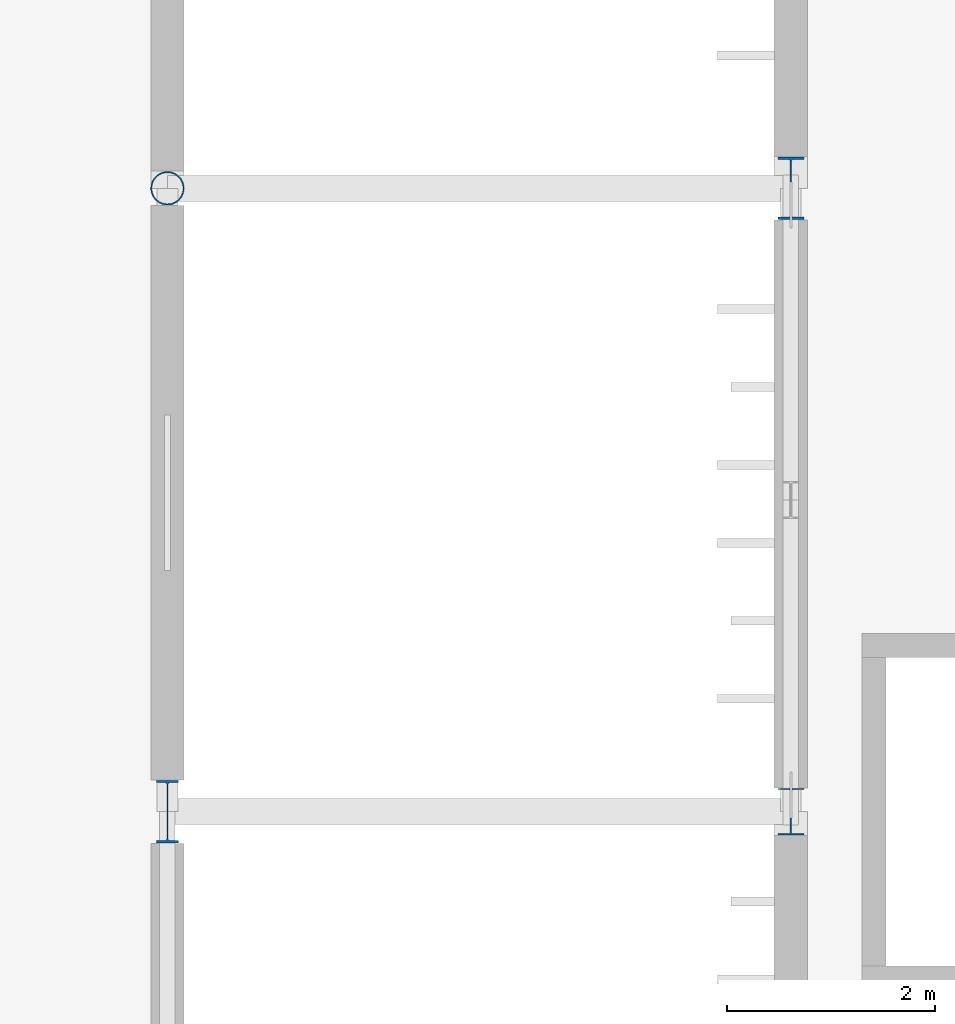
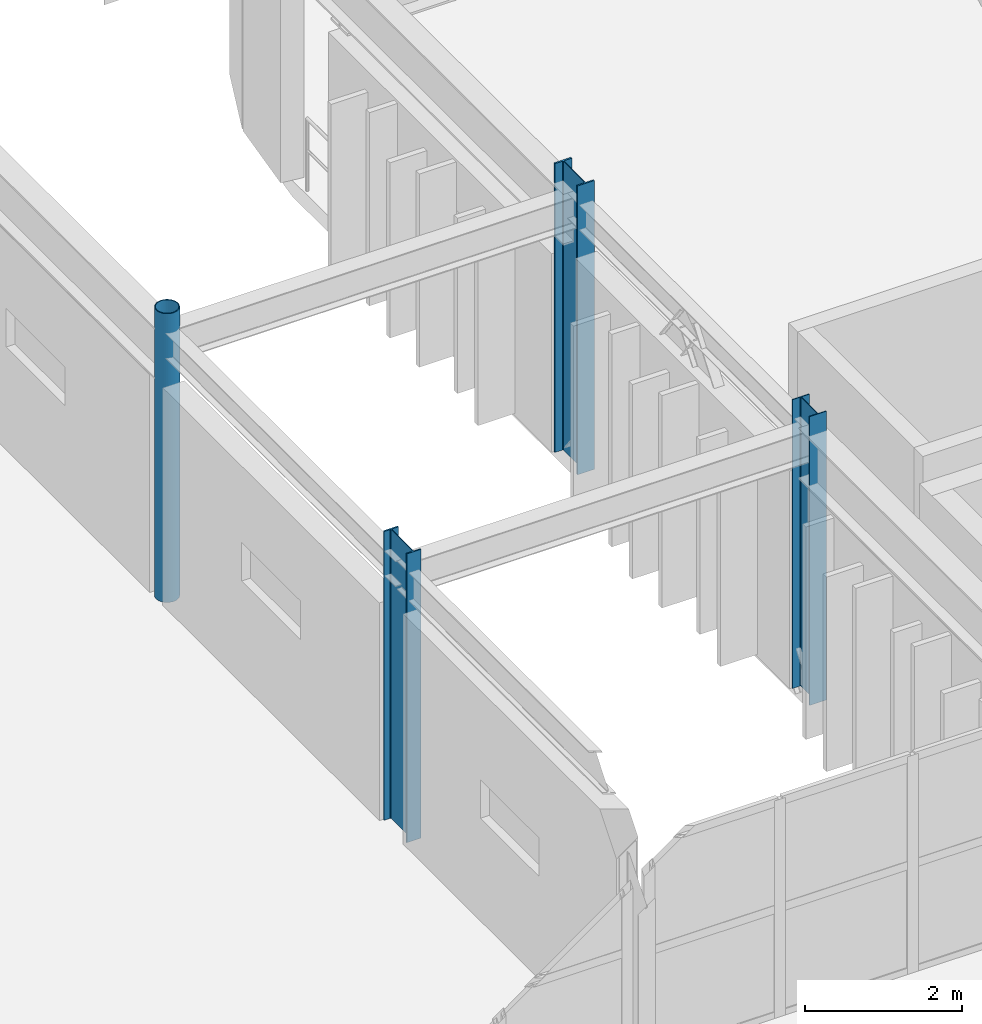
# One storey, part 10 of 84: 4 columns.
"""IFC4 building model written with IfcOpenShell, lengths in metres."""

import ifcopenshell
import ifcopenshell.guid

model = None  # the IFC model being written
_history = None  # IfcOwnerHistory: only IFC2X3 demands one
_inside = {}  # id of a spatial element -> (the spatial element, [elements in it])
_under = {}  # id of a project, library or spatial element -> (it, [spatial elements below it])
_declared = {}  # id of a project -> (the project, [libraries it declares])
_typed = {}  # id of a type object -> (the type object, [elements of that type])
_made_of = {}  # id of a material, layer set ... -> (it, [elements and type objects made of it])


def new_model(schema):
    """Start an empty IFC model of exactly this schema.

    Asked for "IFC4X3", IfcOpenShell would pick the latest addendum, in which some entities
    have other attributes; the version numbers below select the first issue.
    IFC2X3 requires an IfcOwnerHistory on every rooted entity: one is made here for all.
    """
    global model, _history
    if schema == "IFC4X3":
        model = ifcopenshell.file(schema_version=(4, 3, 0, 0))
    else:
        model = ifcopenshell.file(schema=schema)
    _inside.clear()
    _under.clear()
    _declared.clear()
    _typed.clear()
    _made_of.clear()
    _history = None
    if model.schema == "IFC2X3":
        org = make("IfcOrganization", Name="unknown")
        user = make(
            "IfcPersonAndOrganization",
            ThePerson=make("IfcPerson", FamilyName="unknown"),
            TheOrganization=org,
        )
        app = make(
            "IfcApplication",
            ApplicationDeveloper=org,
            Version="unknown",
            ApplicationFullName="unknown",
            ApplicationIdentifier="unknown",
        )
        _history = make(
            "IfcOwnerHistory",
            OwningUser=user,
            OwningApplication=app,
            ChangeAction="ADDED",
            CreationDate=0,
        )
    return model


def make(cls, **values):
    """One entity of the class cls with the attributes given. An attribute that is None is left unset."""
    return model.create_entity(
        cls, **{name: value for name, value in values.items() if value is not None}
    )


def rooted(cls, **values):
    """An entity with a GlobalId (a new one), such as an element, a storey or a relation."""
    return make(cls, GlobalId=ifcopenshell.guid.new(), OwnerHistory=_history, **values)


def si_unit(unit_type, name, prefix=None):
    """IfcSIUnit, for example si_unit("LENGTHUNIT", "METRE", prefix="MILLI")."""
    return make("IfcSIUnit", UnitType=unit_type, Prefix=prefix, Name=name)


def assignment(units):
    """IfcUnitAssignment: the units of a project."""
    return None if units is None else make("IfcUnitAssignment", Units=units)


def point(xyz):
    """IfcCartesianPoint."""
    return None if xyz is None else make("IfcCartesianPoint", Coordinates=xyz)


def direction(xyz):
    """IfcDirection."""
    return None if xyz is None else make("IfcDirection", DirectionRatios=xyz)


def frame(location, z_axis=None, x_axis=None):
    """IfcAxis2Placement3D, a coordinate frame: its origin and axes. An axis left out is left unset."""
    return make(
        "IfcAxis2Placement3D",
        Location=point(location),
        Axis=direction(z_axis),
        RefDirection=direction(x_axis),
    )


def frame_2d(location, x_axis=None):
    """IfcAxis2Placement2D, a coordinate frame in the plane: its origin and x axis."""
    return make(
        "IfcAxis2Placement2D", Location=point(location), RefDirection=direction(x_axis)
    )


def origin():
    """The frame at (0, 0, 0) with its axes left unset."""
    return frame((0.0, 0.0, 0.0))


def origin_2d():
    """The frame at (0, 0) in the plane with its x axis left unset."""
    return frame_2d((0.0, 0.0))


def place(relative_to, where):
    """IfcLocalPlacement: puts the frame where relative to a parent placement (None: the world)."""
    return make(
        "IfcLocalPlacement", PlacementRelTo=relative_to, RelativePlacement=where
    )


def context(
    kind, dimensions, precision=None, world=None, true_north=None, identifier=None
):
    """IfcGeometricRepresentationContext, for example the 3D "Model" context."""
    return make(
        "IfcGeometricRepresentationContext",
        ContextIdentifier=identifier,
        ContextType=kind,
        CoordinateSpaceDimension=dimensions,
        Precision=precision,
        WorldCoordinateSystem=world,
        TrueNorth=true_north,
    )


def subcontext(parent, identifier, kind, view, scale=None):
    """IfcGeometricRepresentationSubContext, for example "Body" below "Model"."""
    return make(
        "IfcGeometricRepresentationSubContext",
        ContextIdentifier=identifier,
        ContextType=kind,
        ParentContext=parent,
        TargetScale=scale,
        TargetView=view,
    )


def project(units=None, contexts=None):
    """IfcProject with its units and contexts."""
    return rooted(
        "IfcProject",
        Name="project",
        RepresentationContexts=contexts,
        UnitsInContext=assignment(units),
    )


def spatial(cls, under=None, at=None, **own):
    """A site, building, storey or space (cls), placed at a placement, below another one or the project."""
    s = rooted(cls, ObjectPlacement=at, **own)
    if under is not None:
        _under.setdefault(under.id(), (under, []))[1].append(s)
    return s


def profile(cls, at=None, kind="AREA", **sizes):
    """A parametric profile (cls). Its sizes go by their IFC names, for example OverallWidth=200.0."""
    return make(cls, ProfileType=kind, Position=at, **sizes)


def hollow_circle(**sizes):
    """IfcCircleHollowProfileDef."""
    return profile("IfcCircleHollowProfileDef", **sizes)


def i_section(**sizes):
    """IfcIShapeProfileDef."""
    return profile("IfcIShapeProfileDef", **sizes)


def extrude(swept, where, along, depth):
    """IfcExtrudedAreaSolid: the profile swept, set in the frame where, extruded along a direction by depth."""
    return make(
        "IfcExtrudedAreaSolid",
        SweptArea=swept,
        Position=where,
        ExtrudedDirection=direction(along),
        Depth=depth,
    )


def shape(context_of_items, identifier, shape_type, items):
    """IfcShapeRepresentation: the items that make up one representation, for example the "Body"."""
    return make(
        "IfcShapeRepresentation",
        ContextOfItems=context_of_items,
        RepresentationIdentifier=identifier,
        RepresentationType=shape_type,
        Items=items,
    )


def material(Name=None, Category=None):
    """IfcMaterial."""
    return make("IfcMaterial", Name=Name, Category=Category)


def material_profile(
    of_material, cross_section, Name=None, Category=None, Priority=None
):
    """IfcMaterialProfile: a cross section and its material."""
    return make(
        "IfcMaterialProfile",
        Name=Name,
        Material=of_material,
        Profile=cross_section,
        Priority=Priority,
        Category=Category,
    )


def profile_set(profiles, Name=None, composite=None):
    """IfcMaterialProfileSet."""
    return make(
        "IfcMaterialProfileSet",
        Name=Name,
        MaterialProfiles=profiles,
        CompositeProfile=composite,
    )


def made_of(thing, what):
    """Note that an element or type object is made of a material, layer set ...; save() writes the relation."""
    if what is not None:
        _made_of.setdefault(what.id(), (what, []))[1].append(thing)
    return thing


def type_object(cls, material=None, **own):
    """A type object (cls), such as IfcWallType, which elements share."""
    return made_of(rooted(cls, **own), material)


def element(
    cls,
    number,
    at=None,
    inside=None,
    cuts=None,
    type_object=None,
    material=None,
    context=None,
    identifier="Body",
    shape_type=None,
    held_by="IfcProductDefinitionShape",
    body=None,
    shapes=None,
    **own,
):
    """One element of the class cls, such as IfcWall. Its Tag is "e" and its number.

    at: its placement. inside: the storey or other place that contains it. cuts: it is an
    opening in that element (IfcRelVoidsElement). A single representation is given by context,
    identifier, shape_type and body (its items); several are given by shapes. held_by: the class
    of the entity that holds the representations. save() writes the other relations.
    """
    e = rooted(cls, Tag="e%d" % number, ObjectPlacement=at, **own)
    if body is not None:
        shapes = [shape(context, identifier, shape_type, body)]
    if shapes is not None:
        e.Representation = make(held_by, Representations=shapes)
    if inside is not None:
        _inside.setdefault(inside.id(), (inside, []))[1].append(e)
    if cuts is not None:
        rooted(
            "IfcRelVoidsElement", RelatingBuildingElement=cuts, RelatedOpeningElement=e
        )
    if type_object is not None:
        _typed.setdefault(type_object.id(), (type_object, []))[1].append(e)
    return made_of(e, material)


def aggregate(whole, parts):
    """IfcRelAggregates: a whole, such as a stair, and the parts it consists of."""
    return rooted("IfcRelAggregates", RelatingObject=whole, RelatedObjects=parts)


def save(model, path):
    """Write the relations noted so far, then the file.

    IfcRelAggregates (storeys below a building ...), IfcRelContainedInSpatialStructure (elements
    in a storey), IfcRelDefinesByType, IfcRelAssociatesMaterial and IfcRelDeclares: one each for
    every whole, place, type object, material and project.
    """
    for whole, parts in _under.values():
        aggregate(whole, parts)
    for where, things in _inside.values():
        rooted(
            "IfcRelContainedInSpatialStructure",
            RelatedElements=things,
            RelatingStructure=where,
        )
    for kind, things in _typed.values():
        rooted("IfcRelDefinesByType", RelatedObjects=things, RelatingType=kind)
    for what, things in _made_of.values():
        rooted("IfcRelAssociatesMaterial", RelatedObjects=things, RelatingMaterial=what)
    for by, libraries in _declared.values():
        rooted("IfcRelDeclares", RelatingContext=by, RelatedDefinitions=libraries)
    model.write(path)


model = new_model("IFC4")

# Units and contexts
model_context = context("Model", 3, precision=1e-05, world=origin(), true_north=direction((0.0, 1.0)))
body_context = subcontext(model_context, "Body", "Model", "MODEL_VIEW")
ifc_project = project(units=[si_unit("LENGTHUNIT", "METRE"), si_unit("AREAUNIT", "SQUARE_METRE"), si_unit("VOLUMEUNIT", "CUBIC_METRE"), si_unit("PLANEANGLEUNIT", "RADIAN"), si_unit("MASSUNIT", "GRAM", prefix="KILO")], contexts=[model_context])

# Site, building, storey
site_placement = place(None, origin())
site = spatial("IfcSite", under=ifc_project, at=site_placement, CompositionType="ELEMENT")
building_placement = place(site_placement, origin())
building = spatial("IfcBuilding", under=site, at=building_placement, Name="Varnakota Square Police Headquarters", CompositionType="ELEMENT")
storey_placement = place(building_placement, frame((0.0, 0.0, 13.5)))
storey = spatial("IfcBuildingStorey", under=building, at=storey_placement, Name="L03", CompositionType="ELEMENT", Elevation=13.5)

# Columns
ifc_material = material(Name="Steel IS 2062 Grade 350", Category="steel")
ifc_material_profile_1 = material_profile(ifc_material, hollow_circle(Radius=0.161865234375, WallThickness=0.0126953125, at=origin_2d()), Name="CHS 323.9x12.7")
ifc_profile_set_1 = profile_set([ifc_material_profile_1], Name="Steel IS 2062 Grade 350")
column_type_1 = type_object("IfcColumnType", Name="COL-CHS324", PredefinedType="COLUMN", material=ifc_profile_set_1)
column_1_placement = place(storey_placement, frame((54.0, 87.0, 0.0), z_axis=(0.0, 0.0, 1.0), x_axis=(1.0, 0.0, 0.0)))
element("IfcColumn", 1, at=column_1_placement, inside=storey, type_object=column_type_1, Name="Column X0540-Y0870 L03", PredefinedType="COLUMN", context=body_context, shape_type="SweptSolid", body=[
    extrude(hollow_circle(Radius=0.161865234375, WallThickness=0.0126953125, at=origin_2d()), origin(), (0.0, 0.0, 1.0), 4.5),
])
ifc_material_profile_2 = material_profile(ifc_material, i_section(OverallWidth=0.25, OverallDepth=0.449951171875, WebThickness=0.01123046875, FlangeThickness=0.013671875, FilletRadius=0.014892578125, at=origin_2d()), Name="ISHB 450")
ifc_profile_set_2 = profile_set([ifc_material_profile_2], Name="Steel IS 2062 Grade 350")
column_type_2 = type_object("IfcColumnType", Name="COL-ISHB450", PredefinedType="COLUMN", material=ifc_profile_set_2)
column_2_placement = place(storey_placement, frame((60.0, 81.0, 0.0), z_axis=(0.0, 0.0, 1.0), x_axis=(1.0, 0.0, 0.0)))
element("IfcColumn", 2, at=column_2_placement, inside=storey, type_object=column_type_2, Name="Column X0600-Y0810 L03", PredefinedType="COLUMN", context=body_context, shape_type="SweptSolid", body=[
    extrude(i_section(OverallWidth=0.25, OverallDepth=0.449951171875, WebThickness=0.01123046875, FlangeThickness=0.013671875, FilletRadius=0.014892578125, at=origin_2d()), origin(), (0.0, 0.0, 1.0), 4.5),
])
ifc_material_profile_3 = material_profile(ifc_material, i_section(OverallWidth=0.2099609375, OverallDepth=0.60009765625, WebThickness=0.011962890625, FlangeThickness=0.020751953125, FilletRadius=0.02001953125, at=origin_2d()), Name="ISMB 600")
ifc_profile_set_3 = profile_set([ifc_material_profile_3], Name="Steel IS 2062 Grade 350")
column_type_3 = type_object("IfcColumnType", Name="COL-ISMB600", PredefinedType="COLUMN", material=ifc_profile_set_3)
column_3_placement = place(storey_placement, frame((54.0, 81.0, 0.0), z_axis=(0.0, 0.0, 1.0), x_axis=(1.0, 0.0, 0.0)))
element("IfcColumn", 3, at=column_3_placement, inside=storey, type_object=column_type_3, Name="Column X0540-Y0810 L03", PredefinedType="COLUMN", context=body_context, shape_type="SweptSolid", body=[
    extrude(i_section(OverallWidth=0.2099609375, OverallDepth=0.60009765625, WebThickness=0.011962890625, FlangeThickness=0.020751953125, FilletRadius=0.02001953125, at=origin_2d()), origin(), (0.0, 0.0, 1.0), 4.5),
])
ifc_material_profile_4 = material_profile(ifc_material, i_section(OverallWidth=0.25, OverallDepth=0.60009765625, WebThickness=0.01171875, FlangeThickness=0.023681640625, FilletRadius=0.01708984375, at=origin_2d()), Name="ISWB 600")
ifc_profile_set_4 = profile_set([ifc_material_profile_4], Name="Steel IS 2062 Grade 350")
column_type_4 = type_object("IfcColumnType", Name="COL-ISWB600", PredefinedType="COLUMN", material=ifc_profile_set_4)
column_4_placement = place(storey_placement, frame((60.0, 87.0, 0.0), z_axis=(0.0, 0.0, 1.0), x_axis=(1.0, 0.0, 0.0)))
element("IfcColumn", 4, at=column_4_placement, inside=storey, type_object=column_type_4, Name="Column X0600-Y0870 L03", PredefinedType="COLUMN", context=body_context, shape_type="SweptSolid", body=[
    extrude(i_section(OverallWidth=0.25, OverallDepth=0.60009765625, WebThickness=0.01171875, FlangeThickness=0.023681640625, FilletRadius=0.01708984375, at=origin_2d()), origin(), (0.0, 0.0, 1.0), 4.5),
])

save(model, "model.ifc")
